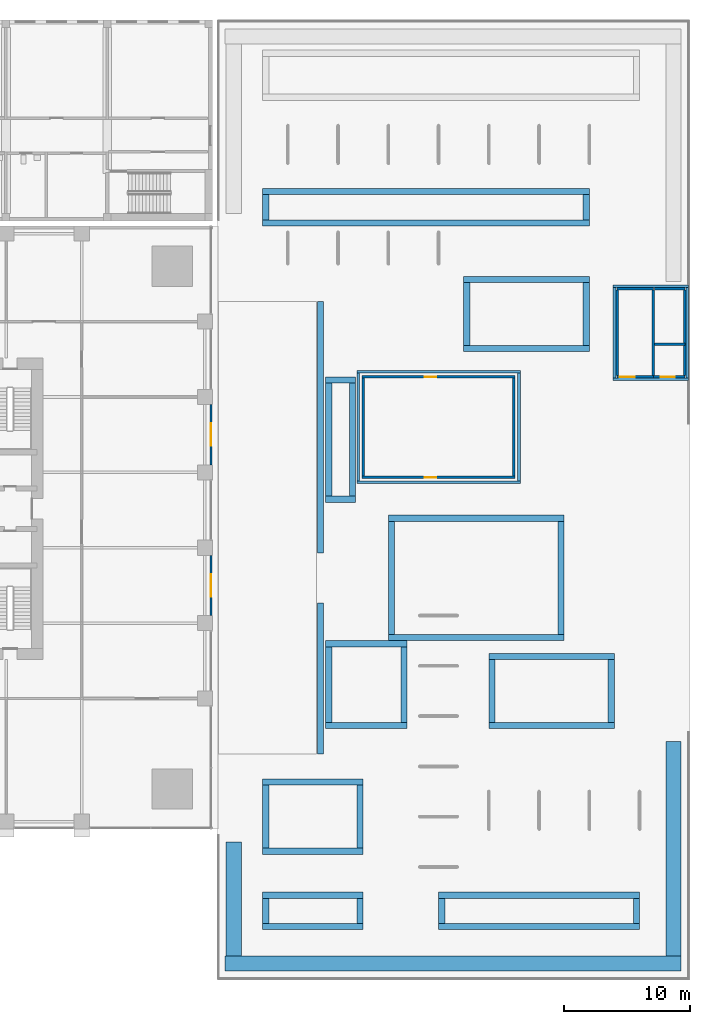
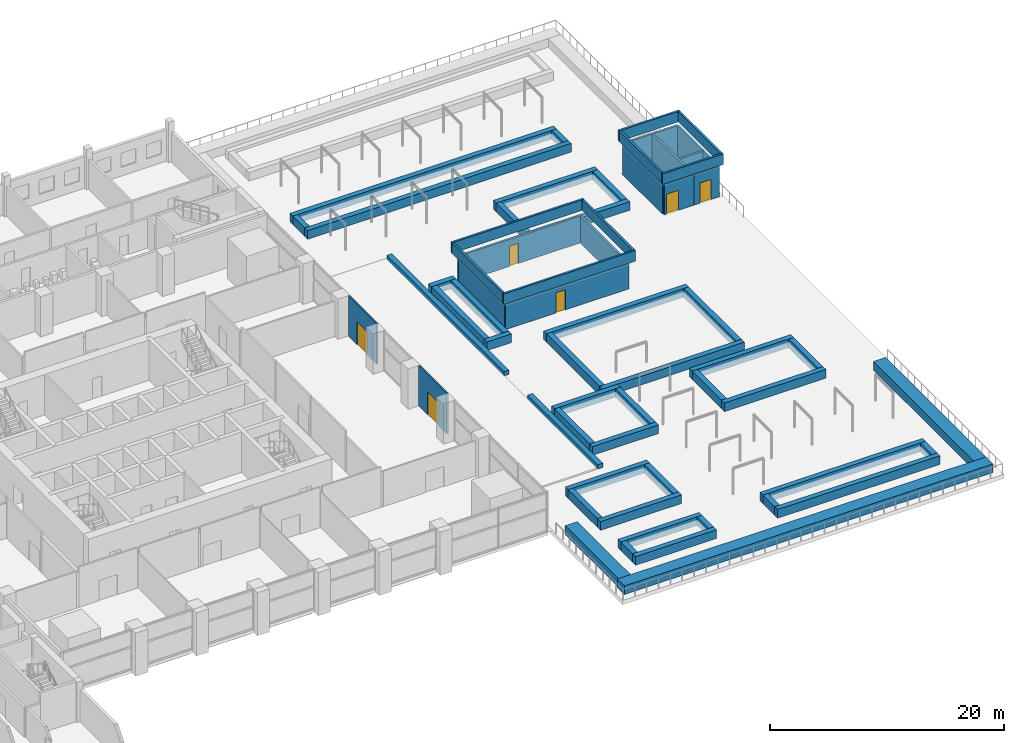
# One storey, part 24 of 34: 63 walls, 6 doors, 6 openings.
"""IFC4 building model written with IfcOpenShell, lengths in metres."""

import ifcopenshell
import ifcopenshell.guid

model = None  # the IFC model being written
_history = None  # IfcOwnerHistory: only IFC2X3 demands one
_inside = {}  # id of a spatial element -> (the spatial element, [elements in it])
_under = {}  # id of a project, library or spatial element -> (it, [spatial elements below it])
_declared = {}  # id of a project -> (the project, [libraries it declares])
_typed = {}  # id of a type object -> (the type object, [elements of that type])
_made_of = {}  # id of a material, layer set ... -> (it, [elements and type objects made of it])


def new_model(schema):
    """Start an empty IFC model of exactly this schema.

    Asked for "IFC4X3", IfcOpenShell would pick the latest addendum, in which some entities
    have other attributes; the version numbers below select the first issue.
    IFC2X3 requires an IfcOwnerHistory on every rooted entity: one is made here for all.
    """
    global model, _history
    if schema == "IFC4X3":
        model = ifcopenshell.file(schema_version=(4, 3, 0, 0))
    else:
        model = ifcopenshell.file(schema=schema)
    _inside.clear()
    _under.clear()
    _declared.clear()
    _typed.clear()
    _made_of.clear()
    _history = None
    if model.schema == "IFC2X3":
        org = make("IfcOrganization", Name="unknown")
        user = make(
            "IfcPersonAndOrganization",
            ThePerson=make("IfcPerson", FamilyName="unknown"),
            TheOrganization=org,
        )
        app = make(
            "IfcApplication",
            ApplicationDeveloper=org,
            Version="unknown",
            ApplicationFullName="unknown",
            ApplicationIdentifier="unknown",
        )
        _history = make(
            "IfcOwnerHistory",
            OwningUser=user,
            OwningApplication=app,
            ChangeAction="ADDED",
            CreationDate=0,
        )
    return model


def make(cls, **values):
    """One entity of the class cls with the attributes given. An attribute that is None is left unset."""
    return model.create_entity(
        cls, **{name: value for name, value in values.items() if value is not None}
    )


def rooted(cls, **values):
    """An entity with a GlobalId (a new one), such as an element, a storey or a relation."""
    return make(cls, GlobalId=ifcopenshell.guid.new(), OwnerHistory=_history, **values)


def si_unit(unit_type, name, prefix=None):
    """IfcSIUnit, for example si_unit("LENGTHUNIT", "METRE", prefix="MILLI")."""
    return make("IfcSIUnit", UnitType=unit_type, Prefix=prefix, Name=name)


def assignment(units):
    """IfcUnitAssignment: the units of a project."""
    return None if units is None else make("IfcUnitAssignment", Units=units)


def point(xyz):
    """IfcCartesianPoint."""
    return None if xyz is None else make("IfcCartesianPoint", Coordinates=xyz)


def direction(xyz):
    """IfcDirection."""
    return None if xyz is None else make("IfcDirection", DirectionRatios=xyz)


def frame(location, z_axis=None, x_axis=None):
    """IfcAxis2Placement3D, a coordinate frame: its origin and axes. An axis left out is left unset."""
    return make(
        "IfcAxis2Placement3D",
        Location=point(location),
        Axis=direction(z_axis),
        RefDirection=direction(x_axis),
    )


def frame_2d(location, x_axis=None):
    """IfcAxis2Placement2D, a coordinate frame in the plane: its origin and x axis."""
    return make(
        "IfcAxis2Placement2D", Location=point(location), RefDirection=direction(x_axis)
    )


def origin():
    """The frame at (0, 0, 0) with its axes left unset."""
    return frame((0.0, 0.0, 0.0))


def place(relative_to, where):
    """IfcLocalPlacement: puts the frame where relative to a parent placement (None: the world)."""
    return make(
        "IfcLocalPlacement", PlacementRelTo=relative_to, RelativePlacement=where
    )


def context(
    kind, dimensions, precision=None, world=None, true_north=None, identifier=None
):
    """IfcGeometricRepresentationContext, for example the 3D "Model" context."""
    return make(
        "IfcGeometricRepresentationContext",
        ContextIdentifier=identifier,
        ContextType=kind,
        CoordinateSpaceDimension=dimensions,
        Precision=precision,
        WorldCoordinateSystem=world,
        TrueNorth=true_north,
    )


def subcontext(parent, identifier, kind, view, scale=None):
    """IfcGeometricRepresentationSubContext, for example "Body" below "Model"."""
    return make(
        "IfcGeometricRepresentationSubContext",
        ContextIdentifier=identifier,
        ContextType=kind,
        ParentContext=parent,
        TargetScale=scale,
        TargetView=view,
    )


def project(units=None, contexts=None):
    """IfcProject with its units and contexts."""
    return rooted(
        "IfcProject",
        Name="project",
        RepresentationContexts=contexts,
        UnitsInContext=assignment(units),
    )


def spatial(cls, under=None, at=None, **own):
    """A site, building, storey or space (cls), placed at a placement, below another one or the project."""
    s = rooted(cls, ObjectPlacement=at, **own)
    if under is not None:
        _under.setdefault(under.id(), (under, []))[1].append(s)
    return s


def profile(cls, at=None, kind="AREA", **sizes):
    """A parametric profile (cls). Its sizes go by their IFC names, for example OverallWidth=200.0."""
    return make(cls, ProfileType=kind, Position=at, **sizes)


def rectangle(**sizes):
    """IfcRectangleProfileDef."""
    return profile("IfcRectangleProfileDef", **sizes)


def extrude(swept, where, along, depth):
    """IfcExtrudedAreaSolid: the profile swept, set in the frame where, extruded along a direction by depth."""
    return make(
        "IfcExtrudedAreaSolid",
        SweptArea=swept,
        Position=where,
        ExtrudedDirection=direction(along),
        Depth=depth,
    )


def shape(context_of_items, identifier, shape_type, items):
    """IfcShapeRepresentation: the items that make up one representation, for example the "Body"."""
    return make(
        "IfcShapeRepresentation",
        ContextOfItems=context_of_items,
        RepresentationIdentifier=identifier,
        RepresentationType=shape_type,
        Items=items,
    )


def material(Name=None, Category=None):
    """IfcMaterial."""
    return make("IfcMaterial", Name=Name, Category=Category)


def layer(
    of_material, thickness, ventilated=None, Name=None, Category=None, Priority=None
):
    """IfcMaterialLayer: one layer of a wall or slab, of a material (None: an air gap)."""
    return make(
        "IfcMaterialLayer",
        Material=of_material,
        LayerThickness=thickness,
        IsVentilated=ventilated,
        Name=Name,
        Category=Category,
        Priority=Priority,
    )


def layer_set(layers, Name=None):
    """IfcMaterialLayerSet."""
    return make("IfcMaterialLayerSet", MaterialLayers=layers, LayerSetName=Name)


def made_of(thing, what):
    """Note that an element or type object is made of a material, layer set ...; save() writes the relation."""
    if what is not None:
        _made_of.setdefault(what.id(), (what, []))[1].append(thing)
    return thing


def type_object(cls, material=None, **own):
    """A type object (cls), such as IfcWallType, which elements share."""
    return made_of(rooted(cls, **own), material)


def element(
    cls,
    number,
    at=None,
    inside=None,
    cuts=None,
    type_object=None,
    material=None,
    context=None,
    identifier="Body",
    shape_type=None,
    held_by="IfcProductDefinitionShape",
    body=None,
    shapes=None,
    **own,
):
    """One element of the class cls, such as IfcWall. Its Tag is "e" and its number.

    at: its placement. inside: the storey or other place that contains it. cuts: it is an
    opening in that element (IfcRelVoidsElement). A single representation is given by context,
    identifier, shape_type and body (its items); several are given by shapes. held_by: the class
    of the entity that holds the representations. save() writes the other relations.
    """
    e = rooted(cls, Tag="e%d" % number, ObjectPlacement=at, **own)
    if body is not None:
        shapes = [shape(context, identifier, shape_type, body)]
    if shapes is not None:
        e.Representation = make(held_by, Representations=shapes)
    if inside is not None:
        _inside.setdefault(inside.id(), (inside, []))[1].append(e)
    if cuts is not None:
        rooted(
            "IfcRelVoidsElement", RelatingBuildingElement=cuts, RelatedOpeningElement=e
        )
    if type_object is not None:
        _typed.setdefault(type_object.id(), (type_object, []))[1].append(e)
    return made_of(e, material)


def fill(opening, filler):
    """IfcRelFillsElement: the door or window that sits in an opening."""
    return rooted(
        "IfcRelFillsElement",
        RelatingOpeningElement=opening,
        RelatedBuildingElement=filler,
    )


def aggregate(whole, parts):
    """IfcRelAggregates: a whole, such as a stair, and the parts it consists of."""
    return rooted("IfcRelAggregates", RelatingObject=whole, RelatedObjects=parts)


def save(model, path):
    """Write the relations noted so far, then the file.

    IfcRelAggregates (storeys below a building ...), IfcRelContainedInSpatialStructure (elements
    in a storey), IfcRelDefinesByType, IfcRelAssociatesMaterial and IfcRelDeclares: one each for
    every whole, place, type object, material and project.
    """
    for whole, parts in _under.values():
        aggregate(whole, parts)
    for where, things in _inside.values():
        rooted(
            "IfcRelContainedInSpatialStructure",
            RelatedElements=things,
            RelatingStructure=where,
        )
    for kind, things in _typed.values():
        rooted("IfcRelDefinesByType", RelatedObjects=things, RelatingType=kind)
    for what, things in _made_of.values():
        rooted("IfcRelAssociatesMaterial", RelatedObjects=things, RelatingMaterial=what)
    for by, libraries in _declared.values():
        rooted("IfcRelDeclares", RelatingContext=by, RelatedDefinitions=libraries)
    model.write(path)


model = new_model("IFC4")

# Units and contexts
model_context = context("Model", 3, precision=1e-05, world=origin(), true_north=direction((0.0, 1.0)))
body_context = subcontext(model_context, "Body", "Model", "MODEL_VIEW")
ifc_project = project(units=[si_unit("LENGTHUNIT", "METRE"), si_unit("AREAUNIT", "SQUARE_METRE"), si_unit("VOLUMEUNIT", "CUBIC_METRE"), si_unit("PLANEANGLEUNIT", "RADIAN"), si_unit("MASSUNIT", "GRAM", prefix="KILO")], contexts=[model_context])

# Site, building, storey
site_placement = place(None, origin())
site = spatial("IfcSite", under=ifc_project, at=site_placement, CompositionType="ELEMENT")
building_placement = place(site_placement, origin())
building = spatial("IfcBuilding", under=site, at=building_placement, Name="Amberfall Residences", CompositionType="ELEMENT")
storey_placement = place(building_placement, frame((0.0, 0.0, 5.5)))
storey = spatial("IfcBuildingStorey", under=building, at=storey_placement, Name="L01", CompositionType="ELEMENT", Elevation=5.5)

# Wall, opening, door
ifc_material_1 = material(Name="Bronze anodised aluminium frame", Category="aluminium")
ifc_layer_1 = layer(ifc_material_1, 0.159912109375)
ifc_layer_set_1 = layer_set([ifc_layer_1], Name="Entrance frame wall 160")
wall_type_1 = type_object("IfcWallType", Name="Entrance frame wall 160", PredefinedType="SOLIDWALL", material=ifc_layer_set_1)
wall_1_placement = place(storey_placement, frame((99.89990234375, 37.0, 0.0), z_axis=(0.0, 0.0, 1.0), x_axis=(0.0, 1.0, 0.0)))
wall_1 = element("IfcWall", 1, at=wall_1_placement, inside=storey, type_object=wall_type_1, Name="Entrance frame wall E3", PredefinedType="SOLIDWALL", context=body_context, shape_type="SweptSolid", body=[
    extrude(rectangle(XDim=4.800048828125, YDim=0.159912109375, at=frame_2d((2.39990234375, 0.0))), origin(), (0.0, 0.0, 1.0), 4.199951171875),
])
opening_1_placement = place(wall_1_placement, frame((1.5, 0.0, 0.0)))
opening_1 = element("IfcOpeningElement", 2, at=opening_1_placement, cuts=wall_1, Name="Opening D9", PredefinedType="OPENING", context=body_context, shape_type="SweptSolid", body=[
    extrude(rectangle(XDim=1.800048828125, YDim=2.39990234375, at=frame_2d((0.89990234375, 1.199951171875))), frame((0.0, 0.08984375, 0.0), z_axis=(0.0, -1.0, 0.0), x_axis=(1.0, 0.0, 0.0)), (0.0, 0.0, 1.0), 0.179931640625),
])
ifc_material_2 = material(Name="Bronze framed toughened glass", Category="glass")
door_type_1 = type_object("IfcDoorType", Name="Terrace door 1800x2400", OperationType="DOUBLE_DOOR_SINGLE_SWING", PredefinedType="DOOR", material=ifc_material_2)
door_1_placement = place(opening_1_placement, origin())
door_1 = element("IfcDoor", 3, at=door_1_placement, inside=storey, type_object=door_type_1, Name="Exit door", OperationType="DOUBLE_DOOR_SINGLE_SWING", OverallHeight=2.39990234375, OverallWidth=1.800048828125, PredefinedType="DOOR", context=body_context, shape_type="SweptSolid", body=[
    extrude(rectangle(XDim=1.800048828125, YDim=2.39990234375, at=frame_2d((0.89990234375, 1.199951171875))), frame((0.0, 0.02490234375, 0.0), z_axis=(0.0, -1.0, 0.0), x_axis=(1.0, 0.0, 0.0)), (0.0, 0.0, 1.0), 0.050048828125),
])
fill(opening_1, door_1)

wall_2_placement = place(storey_placement, frame((99.89990234375, 49.0, 0.0), z_axis=(0.0, 0.0, 1.0), x_axis=(0.0, 1.0, 0.0)))
wall_2 = element("IfcWall", 4, at=wall_2_placement, inside=storey, type_object=wall_type_1, Name="Entrance frame wall E5", PredefinedType="SOLIDWALL", context=body_context, shape_type="SweptSolid", body=[
    extrude(rectangle(XDim=4.800048828125, YDim=0.159912109375, at=frame_2d((2.39990234375, 0.0))), origin(), (0.0, 0.0, 1.0), 4.199951171875),
])
opening_2_placement = place(wall_2_placement, frame((1.5, 0.0, 0.0)))
opening_2 = element("IfcOpeningElement", 5, at=opening_2_placement, cuts=wall_2, Name="Opening D9", PredefinedType="OPENING", context=body_context, shape_type="SweptSolid", body=[
    extrude(rectangle(XDim=1.800048828125, YDim=2.39990234375, at=frame_2d((0.89990234375, 1.199951171875))), frame((0.0, 0.08984375, 0.0), z_axis=(0.0, -1.0, 0.0), x_axis=(1.0, 0.0, 0.0)), (0.0, 0.0, 1.0), 0.179931640625),
])
door_2_placement = place(opening_2_placement, origin())
door_2 = element("IfcDoor", 6, at=door_2_placement, inside=storey, type_object=door_type_1, Name="Exit door", OperationType="DOUBLE_DOOR_SINGLE_SWING", OverallHeight=2.39990234375, OverallWidth=1.800048828125, PredefinedType="DOOR", context=body_context, shape_type="SweptSolid", body=[
    extrude(rectangle(XDim=1.800048828125, YDim=2.39990234375, at=frame_2d((0.89990234375, 1.199951171875))), frame((0.0, 0.02490234375, 0.0), z_axis=(0.0, -1.0, 0.0), x_axis=(1.0, 0.0, 0.0)), (0.0, 0.0, 1.0), 0.050048828125),
])
fill(opening_2, door_2)

ifc_material_3 = material(Name="Reinforced concrete C40", Category="concrete")
ifc_layer_2 = layer(ifc_material_3, 0.199951171875)
ifc_layer_set_2 = layer_set([ifc_layer_2], Name="Lift head wall 200")
wall_type_2 = type_object("IfcWallType", Name="Lift head wall 200", PredefinedType="SOLIDWALL", material=ifc_layer_set_2)
wall_3_placement = place(storey_placement, frame((135.10009765625, 56.0, 0.0), z_axis=(0.0, 0.0, 1.0), x_axis=(1.0, 0.0, 0.0)))
wall_3 = element("IfcWall", 7, at=wall_3_placement, inside=storey, type_object=wall_type_2, Name="Garden lift south wall", PredefinedType="SOLIDWALL", context=body_context, shape_type="SweptSolid", body=[
    extrude(rectangle(XDim=2.5, YDim=0.199951171875, at=frame_2d((1.25, 0.0))), origin(), (0.0, 0.0, 1.0), 3.199951171875),
])
opening_3_placement = place(wall_3_placement, frame((0.60009765625, 0.0, 0.0)))
opening_3 = element("IfcOpeningElement", 8, at=opening_3_placement, cuts=wall_3, Name="Opening LD5", PredefinedType="OPENING", context=body_context, shape_type="SweptSolid", body=[
    extrude(rectangle(XDim=1.10009765625, YDim=2.10009765625, at=frame_2d((0.550048828125, 1.050048828125))), frame((0.0, 0.10986328125, 0.0), z_axis=(0.0, -1.0, 0.0), x_axis=(1.0, 0.0, 0.0)), (0.0, 0.0, 1.0), 0.219970703125),
])
ifc_material_4 = material(Name="Stainless steel sliding door leaf", Category="steel")
door_type_2 = type_object("IfcDoorType", Name="Landing door 1100x2100", OperationType="SLIDING_TO_LEFT", PredefinedType="DOOR", material=ifc_material_4)
door_3_placement = place(opening_3_placement, origin())
door_3 = element("IfcDoor", 9, at=door_3_placement, inside=storey, type_object=door_type_2, Name="Garden lift deck landing door", OperationType="SLIDING_TO_LEFT", OverallHeight=2.10009765625, OverallWidth=1.10009765625, PredefinedType="DOOR", context=body_context, shape_type="SweptSolid", body=[
    extrude(rectangle(XDim=1.10009765625, YDim=2.10009765625, at=frame_2d((0.550048828125, 1.050048828125))), frame((0.0, 0.02490234375, 0.0), z_axis=(0.0, -1.0, 0.0), x_axis=(1.0, 0.0, 0.0)), (0.0, 0.0, 1.0), 0.050048828125),
])
fill(opening_3, door_3)

# Walls
wall_4_placement = place(storey_placement, frame((135.199951171875, 58.60009765625, 0.0), z_axis=(0.0, 0.0, 1.0), x_axis=(1.0, 0.0, 0.0)))
element("IfcWall", 10, at=wall_4_placement, inside=storey, type_object=wall_type_2, Name="Garden lift north wall", PredefinedType="SOLIDWALL", context=body_context, shape_type="SweptSolid", body=[
    extrude(rectangle(XDim=2.400146484375, YDim=0.199951171875, at=frame_2d((1.2001953125, 0.0))), origin(), (0.0, 0.0, 1.0), 3.199951171875),
])
wall_5_placement = place(storey_placement, frame((137.60009765625, 56.10009765625, 0.0), z_axis=(0.0, 0.0, 1.0), x_axis=(0.0, 1.0, 0.0)))
element("IfcWall", 11, at=wall_5_placement, inside=storey, type_object=wall_type_2, Name="Garden lift and riser east wall", PredefinedType="SOLIDWALL", context=body_context, shape_type="SweptSolid", body=[
    extrude(rectangle(XDim=6.7998046875, YDim=0.199951171875, at=frame_2d((3.39990234375, 0.0))), origin(), (0.0, 0.0, 1.0), 3.199951171875),
])
wall_6_placement = place(storey_placement, frame((135.199951171875, 63.0, 0.0), z_axis=(0.0, 0.0, 1.0), x_axis=(1.0, 0.0, 0.0)))
element("IfcWall", 12, at=wall_6_placement, inside=storey, type_object=wall_type_2, Name="Garden riser room north wall", PredefinedType="SOLIDWALL", context=body_context, shape_type="SweptSolid", body=[
    extrude(rectangle(XDim=2.400146484375, YDim=0.199951171875, at=frame_2d((1.2001953125, 0.0))), origin(), (0.0, 0.0, 1.0), 3.199951171875),
])

# Wall, opening, door
ifc_material_5 = material(Name="Concrete blockwork", Category="masonry")
ifc_layer_3 = layer(ifc_material_5, 0.199951171875)
ifc_layer_set_3 = layer_set([ifc_layer_3], Name="Plant room wall 200")
wall_type_3 = type_object("IfcWallType", Name="Plant room wall 200", PredefinedType="SOLIDWALL", material=ifc_layer_set_3)
wall_7_placement = place(storey_placement, frame((111.89990234375, 48.0, 0.0), z_axis=(0.0, 0.0, 1.0), x_axis=(1.0, 0.0, 0.0)))
wall_7 = element("IfcWall", 13, at=wall_7_placement, inside=storey, type_object=wall_type_3, Name="Pavilion S wall", PredefinedType="SOLIDWALL", context=body_context, shape_type="SweptSolid", body=[
    extrude(rectangle(XDim=12.2001953125, YDim=0.199951171875, at=frame_2d((6.10009765625, 0.0))), origin(), (0.0, 0.0, 1.0), 2.800048828125),
])
opening_4_placement = place(wall_7_placement, frame((5.0, 0.0, 0.0)))
opening_4 = element("IfcOpeningElement", 14, at=opening_4_placement, cuts=wall_7, Name="Opening D1", PredefinedType="OPENING", context=body_context, shape_type="SweptSolid", body=[
    extrude(rectangle(XDim=0.89990234375, YDim=2.10009765625, at=frame_2d((0.449951171875, 1.050048828125))), frame((0.0, 0.10986328125, 0.0), z_axis=(0.0, -1.0, 0.0), x_axis=(1.0, 0.0, 0.0)), (0.0, 0.0, 1.0), 0.219970703125),
])
ifc_material_6 = material(Name="Timber veneer door leaf", Category="wood")
door_type_3 = type_object("IfcDoorType", Name="Door 900x2100", OperationType="SINGLE_SWING_LEFT", PredefinedType="DOOR", material=ifc_material_6)
door_4_placement = place(opening_4_placement, origin())
door_4 = element("IfcDoor", 15, at=door_4_placement, inside=storey, type_object=door_type_3, Name="Pavilion door", OperationType="SINGLE_SWING_LEFT", OverallHeight=2.10009765625, OverallWidth=0.89990234375, PredefinedType="DOOR", context=body_context, shape_type="SweptSolid", body=[
    extrude(rectangle(XDim=0.89990234375, YDim=2.10009765625, at=frame_2d((0.449951171875, 1.050048828125))), frame((0.0, 0.02490234375, 0.0), z_axis=(0.0, -1.0, 0.0), x_axis=(1.0, 0.0, 0.0)), (0.0, 0.0, 1.0), 0.050048828125),
])
fill(opening_4, door_4)

wall_8_placement = place(storey_placement, frame((111.89990234375, 56.0, 0.0), z_axis=(0.0, 0.0, 1.0), x_axis=(1.0, 0.0, 0.0)))
wall_8 = element("IfcWall", 16, at=wall_8_placement, inside=storey, type_object=wall_type_3, Name="Pavilion N wall", PredefinedType="SOLIDWALL", context=body_context, shape_type="SweptSolid", body=[
    extrude(rectangle(XDim=12.2001953125, YDim=0.199951171875, at=frame_2d((6.10009765625, 0.0))), origin(), (0.0, 0.0, 1.0), 2.800048828125),
])
opening_5_placement = place(wall_8_placement, frame((5.0, 0.0, 0.0)))
opening_5 = element("IfcOpeningElement", 17, at=opening_5_placement, cuts=wall_8, Name="Opening D1", PredefinedType="OPENING", context=body_context, shape_type="SweptSolid", body=[
    extrude(rectangle(XDim=0.89990234375, YDim=2.10009765625, at=frame_2d((0.449951171875, 1.050048828125))), frame((0.0, 0.10986328125, 0.0), z_axis=(0.0, -1.0, 0.0), x_axis=(1.0, 0.0, 0.0)), (0.0, 0.0, 1.0), 0.219970703125),
])
door_5_placement = place(opening_5_placement, origin())
door_5 = element("IfcDoor", 18, at=door_5_placement, inside=storey, type_object=door_type_3, Name="Pavilion service door", OperationType="SINGLE_SWING_LEFT", OverallHeight=2.10009765625, OverallWidth=0.89990234375, PredefinedType="DOOR", context=body_context, shape_type="SweptSolid", body=[
    extrude(rectangle(XDim=0.89990234375, YDim=2.10009765625, at=frame_2d((0.449951171875, 1.050048828125))), frame((0.0, 0.02490234375, 0.0), z_axis=(0.0, -1.0, 0.0), x_axis=(1.0, 0.0, 0.0)), (0.0, 0.0, 1.0), 0.050048828125),
])
fill(opening_5, door_5)

# Walls
for number, where, z_axis, x_axis, name in (
    (19, (112.0, 48.10009765625, 0.0), (0.0, 0.0, 1.0), (0.0, 1.0, 0.0), "Pavilion W wall"),
    (20, (124.0, 48.10009765625, 0.0), (0.0, 0.0, 1.0), (0.0, 1.0, 0.0), "Pavilion E wall"),
):
    element("IfcWall", number, at=place(storey_placement, frame(where, z_axis=z_axis, x_axis=x_axis)), inside=storey, type_object=wall_type_3, Name=name, PredefinedType="SOLIDWALL", context=body_context, shape_type="SweptSolid", body=[
        extrude(rectangle(XDim=7.7998046875, YDim=0.199951171875, at=frame_2d((3.89990234375, 0.0))), origin(), (0.0, 0.0, 1.0), 2.800048828125),
    ])
ifc_material_7 = material(Name="Precast concrete C40 with stone facing", Category="masonry")
ifc_layer_4 = layer(ifc_material_7, 1.199951171875)
ifc_layer_set_4 = layer_set([ifc_layer_4], Name="Planter edge wall 1200")
wall_type_4 = type_object("IfcWallType", Name="Planter edge wall 1200", PredefinedType="SOLIDWALL", material=ifc_layer_set_4)
wall_9_placement = place(storey_placement, frame((101.0, 9.300048828125, 0.0), z_axis=(0.0, 0.0, 1.0), x_axis=(1.0, 0.0, 0.0)))
element("IfcWall", 21, at=wall_9_placement, inside=storey, type_object=wall_type_4, Name="Planted edge S", PredefinedType="SOLIDWALL", context=body_context, shape_type="SweptSolid", body=[
    extrude(rectangle(XDim=36.300048828125, YDim=1.199951171875, at=frame_2d((18.14990234375, 0.0))), origin(), (0.0, 0.0, 1.0), 0.89990234375),
])
wall_10_placement = place(storey_placement, frame((101.699951171875, 9.89990234375, 0.0), z_axis=(0.0, 0.0, 1.0), x_axis=(0.0, 1.0, 0.0)))
element("IfcWall", 22, at=wall_10_placement, inside=storey, type_object=wall_type_4, Name="Planted edge W1", PredefinedType="SOLIDWALL", context=body_context, shape_type="SweptSolid", body=[
    extrude(rectangle(XDim=9.10009765625, YDim=1.199951171875, at=frame_2d((4.550048828125, 0.0))), origin(), (0.0, 0.0, 1.0), 0.89990234375),
])
wall_11_placement = place(storey_placement, frame((136.699951171875, 9.89990234375, 0.0), z_axis=(0.0, 0.0, 1.0), x_axis=(0.0, 1.0, 0.0)))
element("IfcWall", 23, at=wall_11_placement, inside=storey, type_object=wall_type_4, Name="Planted edge E1", PredefinedType="SOLIDWALL", context=body_context, shape_type="SweptSolid", body=[
    extrude(rectangle(XDim=17.10009765625, YDim=1.199951171875, at=frame_2d((8.550048828125, 0.0))), origin(), (0.0, 0.0, 1.0), 0.89990234375),
])
ifc_layer_5 = layer(ifc_material_7, 0.5)
ifc_layer_set_5 = layer_set([ifc_layer_5], Name="Planter rim wall 500")
wall_type_5 = type_object("IfcWallType", Name="Planter rim wall 500", PredefinedType="SOLIDWALL", material=ifc_layer_set_5)
for number, where, z_axis, x_axis, name in (
    (24, (104.0, 12.25, 0.0), (0.0, 0.0, 1.0), (1.0, 0.0, 0.0), "Planter 1 S wall"),
    (25, (104.0, 14.75, 0.0), (0.0, 0.0, 1.0), (1.0, 0.0, 0.0), "Planter 1 N wall"),
):
    element("IfcWall", number, at=place(storey_placement, frame(where, z_axis=z_axis, x_axis=x_axis)), inside=storey, type_object=wall_type_5, Name=name, PredefinedType="SOLIDWALL", context=body_context, shape_type="SweptSolid", body=[
        extrude(rectangle(XDim=8.0, YDim=0.5, at=frame_2d((4.0, 0.0))), origin(), (0.0, 0.0, 1.0), 0.89990234375),
    ])
for number, where, z_axis, x_axis, name in (
    (26, (104.25, 12.5, 0.0), (0.0, 0.0, 1.0), (0.0, 1.0, 0.0), "Planter 1 W wall"),
    (27, (111.75, 12.5, 0.0), (0.0, 0.0, 1.0), (0.0, 1.0, 0.0), "Planter 1 E wall"),
):
    element("IfcWall", number, at=place(storey_placement, frame(where, z_axis=z_axis, x_axis=x_axis)), inside=storey, type_object=wall_type_5, Name=name, PredefinedType="SOLIDWALL", context=body_context, shape_type="SweptSolid", body=[
        extrude(rectangle(XDim=2.0, YDim=0.5, at=frame_2d((1.0, 0.0))), origin(), (0.0, 0.0, 1.0), 0.89990234375),
    ])
for number, where, z_axis, x_axis, name in (
    (28, (104.0, 18.25, 0.0), (0.0, 0.0, 1.0), (1.0, 0.0, 0.0), "Planter 2 S wall"),
    (29, (104.0, 23.75, 0.0), (0.0, 0.0, 1.0), (1.0, 0.0, 0.0), "Planter 2 N wall"),
):
    element("IfcWall", number, at=place(storey_placement, frame(where, z_axis=z_axis, x_axis=x_axis)), inside=storey, type_object=wall_type_5, Name=name, PredefinedType="SOLIDWALL", context=body_context, shape_type="SweptSolid", body=[
        extrude(rectangle(XDim=8.0, YDim=0.5, at=frame_2d((4.0, 0.0))), origin(), (0.0, 0.0, 1.0), 0.89990234375),
    ])
for number, where, z_axis, x_axis, name in (
    (30, (104.25, 18.5, 0.0), (0.0, 0.0, 1.0), (0.0, 1.0, 0.0), "Planter 2 W wall"),
    (31, (111.75, 18.5, 0.0), (0.0, 0.0, 1.0), (0.0, 1.0, 0.0), "Planter 2 E wall"),
):
    element("IfcWall", number, at=place(storey_placement, frame(where, z_axis=z_axis, x_axis=x_axis)), inside=storey, type_object=wall_type_5, Name=name, PredefinedType="SOLIDWALL", context=body_context, shape_type="SweptSolid", body=[
        extrude(rectangle(XDim=5.0, YDim=0.5, at=frame_2d((2.5, 0.0))), origin(), (0.0, 0.0, 1.0), 0.89990234375),
    ])
for number, where, z_axis, x_axis, name in (
    (32, (118.0, 12.25, 0.0), (0.0, 0.0, 1.0), (1.0, 0.0, 0.0), "Planter 3 S wall"),
    (33, (118.0, 14.75, 0.0), (0.0, 0.0, 1.0), (1.0, 0.0, 0.0), "Planter 3 N wall"),
):
    element("IfcWall", number, at=place(storey_placement, frame(where, z_axis=z_axis, x_axis=x_axis)), inside=storey, type_object=wall_type_5, Name=name, PredefinedType="SOLIDWALL", context=body_context, shape_type="SweptSolid", body=[
        extrude(rectangle(XDim=16.0, YDim=0.5, at=frame_2d((8.0, 0.0))), origin(), (0.0, 0.0, 1.0), 0.89990234375),
    ])
for number, where, z_axis, x_axis, name in (
    (34, (118.25, 12.5, 0.0), (0.0, 0.0, 1.0), (0.0, 1.0, 0.0), "Planter 3 W wall"),
    (35, (133.75, 12.5, 0.0), (0.0, 0.0, 1.0), (0.0, 1.0, 0.0), "Planter 3 E wall"),
):
    element("IfcWall", number, at=place(storey_placement, frame(where, z_axis=z_axis, x_axis=x_axis)), inside=storey, type_object=wall_type_5, Name=name, PredefinedType="SOLIDWALL", context=body_context, shape_type="SweptSolid", body=[
        extrude(rectangle(XDim=2.0, YDim=0.5, at=frame_2d((1.0, 0.0))), origin(), (0.0, 0.0, 1.0), 0.89990234375),
    ])
for number, where, z_axis, x_axis, name in (
    (36, (109.0, 28.25, 0.0), (0.0, 0.0, 1.0), (1.0, 0.0, 0.0), "Planter 4 S wall"),
    (37, (109.0, 34.75, 0.0), (0.0, 0.0, 1.0), (1.0, 0.0, 0.0), "Planter 4 N wall"),
):
    element("IfcWall", number, at=place(storey_placement, frame(where, z_axis=z_axis, x_axis=x_axis)), inside=storey, type_object=wall_type_5, Name=name, PredefinedType="SOLIDWALL", context=body_context, shape_type="SweptSolid", body=[
        extrude(rectangle(XDim=6.5, YDim=0.5, at=frame_2d((3.25, 0.0))), origin(), (0.0, 0.0, 1.0), 0.89990234375),
    ])
for number, where, z_axis, x_axis, name in (
    (38, (109.25, 28.5, 0.0), (0.0, 0.0, 1.0), (0.0, 1.0, 0.0), "Planter 4 W wall"),
    (39, (115.25, 28.5, 0.0), (0.0, 0.0, 1.0), (0.0, 1.0, 0.0), "Planter 4 E wall"),
):
    element("IfcWall", number, at=place(storey_placement, frame(where, z_axis=z_axis, x_axis=x_axis)), inside=storey, type_object=wall_type_5, Name=name, PredefinedType="SOLIDWALL", context=body_context, shape_type="SweptSolid", body=[
        extrude(rectangle(XDim=6.0, YDim=0.5, at=frame_2d((3.0, 0.0))), origin(), (0.0, 0.0, 1.0), 0.89990234375),
    ])
for number, where, z_axis, x_axis, name in (
    (40, (122.0, 28.25, 0.0), (0.0, 0.0, 1.0), (1.0, 0.0, 0.0), "Planter 5 S wall"),
    (41, (122.0, 33.75, 0.0), (0.0, 0.0, 1.0), (1.0, 0.0, 0.0), "Planter 5 N wall"),
):
    element("IfcWall", number, at=place(storey_placement, frame(where, z_axis=z_axis, x_axis=x_axis)), inside=storey, type_object=wall_type_5, Name=name, PredefinedType="SOLIDWALL", context=body_context, shape_type="SweptSolid", body=[
        extrude(rectangle(XDim=10.0, YDim=0.5, at=frame_2d((5.0, 0.0))), origin(), (0.0, 0.0, 1.0), 0.89990234375),
    ])
for number, where, z_axis, x_axis, name in (
    (42, (122.25, 28.5, 0.0), (0.0, 0.0, 1.0), (0.0, 1.0, 0.0), "Planter 5 W wall"),
    (43, (131.75, 28.5, 0.0), (0.0, 0.0, 1.0), (0.0, 1.0, 0.0), "Planter 5 E wall"),
):
    element("IfcWall", number, at=place(storey_placement, frame(where, z_axis=z_axis, x_axis=x_axis)), inside=storey, type_object=wall_type_5, Name=name, PredefinedType="SOLIDWALL", context=body_context, shape_type="SweptSolid", body=[
        extrude(rectangle(XDim=5.0, YDim=0.5, at=frame_2d((2.5, 0.0))), origin(), (0.0, 0.0, 1.0), 0.89990234375),
    ])
for number, where, z_axis, x_axis, name in (
    (44, (120.0, 58.25, 0.0), (0.0, 0.0, 1.0), (1.0, 0.0, 0.0), "Planter 6 S wall"),
    (45, (120.0, 63.75, 0.0), (0.0, 0.0, 1.0), (1.0, 0.0, 0.0), "Planter 6 N wall"),
):
    element("IfcWall", number, at=place(storey_placement, frame(where, z_axis=z_axis, x_axis=x_axis)), inside=storey, type_object=wall_type_5, Name=name, PredefinedType="SOLIDWALL", context=body_context, shape_type="SweptSolid", body=[
        extrude(rectangle(XDim=10.0, YDim=0.5, at=frame_2d((5.0, 0.0))), origin(), (0.0, 0.0, 1.0), 0.89990234375),
    ])
for number, where, z_axis, x_axis, name in (
    (46, (120.25, 58.5, 0.0), (0.0, 0.0, 1.0), (0.0, 1.0, 0.0), "Planter 6 W wall"),
    (47, (129.75, 58.5, 0.0), (0.0, 0.0, 1.0), (0.0, 1.0, 0.0), "Planter 6 E wall"),
):
    element("IfcWall", number, at=place(storey_placement, frame(where, z_axis=z_axis, x_axis=x_axis)), inside=storey, type_object=wall_type_5, Name=name, PredefinedType="SOLIDWALL", context=body_context, shape_type="SweptSolid", body=[
        extrude(rectangle(XDim=5.0, YDim=0.5, at=frame_2d((2.5, 0.0))), origin(), (0.0, 0.0, 1.0), 0.89990234375),
    ])
for number, where, z_axis, x_axis, name in (
    (48, (104.0, 68.25, 0.0), (0.0, 0.0, 1.0), (1.0, 0.0, 0.0), "Planter 7 S wall"),
    (49, (104.0, 70.75, 0.0), (0.0, 0.0, 1.0), (1.0, 0.0, 0.0), "Planter 7 N wall"),
):
    element("IfcWall", number, at=place(storey_placement, frame(where, z_axis=z_axis, x_axis=x_axis)), inside=storey, type_object=wall_type_5, Name=name, PredefinedType="SOLIDWALL", context=body_context, shape_type="SweptSolid", body=[
        extrude(rectangle(XDim=26.0, YDim=0.5, at=frame_2d((13.0, 0.0))), origin(), (0.0, 0.0, 1.0), 0.89990234375),
    ])
for number, where, z_axis, x_axis, name in (
    (50, (104.25, 68.5, 0.0), (0.0, 0.0, 1.0), (0.0, 1.0, 0.0), "Planter 7 W wall"),
    (51, (129.75, 68.5, 0.0), (0.0, 0.0, 1.0), (0.0, 1.0, 0.0), "Planter 7 E wall"),
):
    element("IfcWall", number, at=place(storey_placement, frame(where, z_axis=z_axis, x_axis=x_axis)), inside=storey, type_object=wall_type_5, Name=name, PredefinedType="SOLIDWALL", context=body_context, shape_type="SweptSolid", body=[
        extrude(rectangle(XDim=2.0, YDim=0.5, at=frame_2d((1.0, 0.0))), origin(), (0.0, 0.0, 1.0), 0.89990234375),
    ])
for number, where, z_axis, x_axis, name in (
    (52, (109.0, 46.25, 0.0), (0.0, 0.0, 1.0), (1.0, 0.0, 0.0), "Planter 9 S wall"),
    (53, (109.0, 55.75, 0.0), (0.0, 0.0, 1.0), (1.0, 0.0, 0.0), "Planter 9 N wall"),
):
    element("IfcWall", number, at=place(storey_placement, frame(where, z_axis=z_axis, x_axis=x_axis)), inside=storey, type_object=wall_type_5, Name=name, PredefinedType="SOLIDWALL", context=body_context, shape_type="SweptSolid", body=[
        extrude(rectangle(XDim=2.39990234375, YDim=0.5, at=frame_2d((1.199951171875, 0.0))), origin(), (0.0, 0.0, 1.0), 0.89990234375),
    ])
for number, where, z_axis, x_axis, name in (
    (54, (109.25, 46.5, 0.0), (0.0, 0.0, 1.0), (0.0, 1.0, 0.0), "Planter 9 W wall"),
    (55, (111.14990234375, 46.5, 0.0), (0.0, 0.0, 1.0), (0.0, 1.0, 0.0), "Planter 9 E wall"),
):
    element("IfcWall", number, at=place(storey_placement, frame(where, z_axis=z_axis, x_axis=x_axis)), inside=storey, type_object=wall_type_5, Name=name, PredefinedType="SOLIDWALL", context=body_context, shape_type="SweptSolid", body=[
        extrude(rectangle(XDim=9.0, YDim=0.5, at=frame_2d((4.5, 0.0))), origin(), (0.0, 0.0, 1.0), 0.89990234375),
    ])
wall_12_placement = place(storey_placement, frame((108.60009765625, 26.0, 0.0), z_axis=(0.0, 0.0, 1.0), x_axis=(0.0, 1.0, 0.0)))
element("IfcWall", 56, at=wall_12_placement, inside=storey, type_object=wall_type_5, Name="Arrival terrace seat wall S", PredefinedType="SOLIDWALL", context=body_context, shape_type="SweptSolid", body=[
    extrude(rectangle(XDim=12.0, YDim=0.5, at=frame_2d((6.0, 0.0))), origin(), (0.0, 0.0, 1.0), 0.449951171875),
])
wall_13_placement = place(storey_placement, frame((108.60009765625, 42.0, 0.0), z_axis=(0.0, 0.0, 1.0), x_axis=(0.0, 1.0, 0.0)))
element("IfcWall", 57, at=wall_13_placement, inside=storey, type_object=wall_type_5, Name="Arrival terrace seat wall N", PredefinedType="SOLIDWALL", context=body_context, shape_type="SweptSolid", body=[
    extrude(rectangle(XDim=20.0, YDim=0.5, at=frame_2d((10.0, 0.0))), origin(), (0.0, 0.0, 1.0), 0.449951171875),
])
for number, where, z_axis, x_axis, name in (
    (58, (114.0, 35.25, 0.0), (0.0, 0.0, 1.0), (1.0, 0.0, 0.0), "Water garden S rim wall"),
    (59, (114.0, 44.75, 0.0), (0.0, 0.0, 1.0), (1.0, 0.0, 0.0), "Water garden N rim wall"),
):
    element("IfcWall", number, at=place(storey_placement, frame(where, z_axis=z_axis, x_axis=x_axis)), inside=storey, type_object=wall_type_5, Name=name, PredefinedType="SOLIDWALL", context=body_context, shape_type="SweptSolid", body=[
        extrude(rectangle(XDim=14.0, YDim=0.5, at=frame_2d((7.0, 0.0))), origin(), (0.0, 0.0, 1.0), 0.89990234375),
    ])
for number, where, z_axis, x_axis, name in (
    (60, (114.25, 35.5, 0.0), (0.0, 0.0, 1.0), (0.0, 1.0, 0.0), "Water garden W rim wall"),
    (61, (127.75, 35.5, 0.0), (0.0, 0.0, 1.0), (0.0, 1.0, 0.0), "Water garden E rim wall"),
):
    element("IfcWall", number, at=place(storey_placement, frame(where, z_axis=z_axis, x_axis=x_axis)), inside=storey, type_object=wall_type_5, Name=name, PredefinedType="SOLIDWALL", context=body_context, shape_type="SweptSolid", body=[
        extrude(rectangle(XDim=9.0, YDim=0.5, at=frame_2d((4.5, 0.0))), origin(), (0.0, 0.0, 1.0), 0.89990234375),
    ])
ifc_material_8 = material(Name="Reinforced concrete C50", Category="concrete")
ifc_layer_6 = layer(ifc_material_8, 0.199951171875)
ifc_layer_set_6 = layer_set([ifc_layer_6], Name="Roof parapet 200")
wall_type_6 = type_object("IfcWallType", Name="Roof parapet 200", PredefinedType="PARAPET", material=ifc_layer_set_6)
for number, where, z_axis, x_axis, name in (
    (62, (111.5, 47.60009765625, 3.0), (0.0, 0.0, 1.0), (1.0, 0.0, 0.0), "Roof parapet pav S"),
    (63, (111.5, 56.39990234375, 3.0), (0.0, 0.0, 1.0), (1.0, 0.0, 0.0), "Roof parapet pav N"),
):
    element("IfcWall", number, at=place(storey_placement, frame(where, z_axis=z_axis, x_axis=x_axis)), inside=storey, type_object=wall_type_6, Name=name, PredefinedType="PARAPET", context=body_context, shape_type="SweptSolid", body=[
        extrude(rectangle(XDim=13.0, YDim=0.199951171875, at=frame_2d((6.5, 0.0))), origin(), (0.0, 0.0, 1.0), 1.10009765625),
    ])
for number, where, z_axis, x_axis, name in (
    (64, (111.60009765625, 47.699951171875, 3.0), (0.0, 0.0, 1.0), (0.0, 1.0, 0.0), "Roof parapet pav W"),
    (65, (124.39990234375, 47.699951171875, 3.0), (0.0, 0.0, 1.0), (0.0, 1.0, 0.0), "Roof parapet pav E"),
):
    element("IfcWall", number, at=place(storey_placement, frame(where, z_axis=z_axis, x_axis=x_axis)), inside=storey, type_object=wall_type_6, Name=name, PredefinedType="PARAPET", context=body_context, shape_type="SweptSolid", body=[
        extrude(rectangle(XDim=8.60009765625, YDim=0.199951171875, at=frame_2d((4.300048828125, 0.0))), origin(), (0.0, 0.0, 1.0), 1.10009765625),
    ])
for number, where, z_axis, x_axis, name in (
    (66, (131.89990234375, 55.800048828125, 3.39990234375), (0.0, 0.0, 1.0), (1.0, 0.0, 0.0), "Roof parapet head S"),
    (67, (131.89990234375, 63.199951171875, 3.39990234375), (0.0, 0.0, 1.0), (1.0, 0.0, 0.0), "Roof parapet head N"),
):
    element("IfcWall", number, at=place(storey_placement, frame(where, z_axis=z_axis, x_axis=x_axis)), inside=storey, type_object=wall_type_6, Name=name, PredefinedType="PARAPET", context=body_context, shape_type="SweptSolid", body=[
        extrude(rectangle(XDim=6.0, YDim=0.199951171875, at=frame_2d((3.0, 0.0))), origin(), (0.0, 0.0, 1.0), 1.10009765625),
    ])
for number, where, z_axis, x_axis, name in (
    (68, (132.0, 55.89990234375, 3.39990234375), (0.0, 0.0, 1.0), (0.0, 1.0, 0.0), "Roof parapet head W"),
    (69, (137.800048828125, 55.89990234375, 3.39990234375), (0.0, 0.0, 1.0), (0.0, 1.0, 0.0), "Roof parapet head E"),
):
    element("IfcWall", number, at=place(storey_placement, frame(where, z_axis=z_axis, x_axis=x_axis)), inside=storey, type_object=wall_type_6, Name=name, PredefinedType="PARAPET", context=body_context, shape_type="SweptSolid", body=[
        extrude(rectangle(XDim=7.2001953125, YDim=0.199951171875, at=frame_2d((3.60009765625, 0.0))), origin(), (0.0, 0.0, 1.0), 1.10009765625),
    ])

# Wall, opening, door
ifc_layer_7 = layer(ifc_material_3, 0.199951171875)
ifc_layer_set_7 = layer_set([ifc_layer_7], Name="Stair wall 200")
wall_type_7 = type_object("IfcWallType", Name="Stair wall 200", PredefinedType="SOLIDWALL", material=ifc_layer_set_7)
wall_14_placement = place(storey_placement, frame((132.199951171875, 56.0, 0.0), z_axis=(0.0, 0.0, 1.0), x_axis=(1.0, 0.0, 0.0)))
wall_14 = element("IfcWall", 70, at=wall_14_placement, inside=storey, type_object=wall_type_7, Name="Garden stair south wall", PredefinedType="SOLIDWALL", context=body_context, shape_type="SweptSolid", body=[
    extrude(rectangle(XDim=2.900146484375, YDim=0.199951171875, at=frame_2d((1.4501953125, 0.0))), origin(), (0.0, 0.0, 1.0), 3.199951171875),
])
opening_6_placement = place(wall_14_placement, frame((0.199951171875, 0.0, 0.0)))
opening_6 = element("IfcOpeningElement", 71, at=opening_6_placement, cuts=wall_14, Name="Opening D6", PredefinedType="OPENING", context=body_context, shape_type="SweptSolid", body=[
    extrude(rectangle(XDim=1.199951171875, YDim=2.10009765625, at=frame_2d((0.60009765625, 1.050048828125))), frame((0.0, 0.10986328125, 0.0), z_axis=(0.0, -1.0, 0.0), x_axis=(1.0, 0.0, 0.0)), (0.0, 0.0, 1.0), 0.219970703125),
])
ifc_material_9 = material(Name="Steel fire door leaf", Category="steel")
door_type_4 = type_object("IfcDoorType", Name="Exit door 1200x2100", OperationType="SINGLE_SWING_LEFT", PredefinedType="DOOR", material=ifc_material_9)
door_6_placement = place(opening_6_placement, origin())
door_6 = element("IfcDoor", 72, at=door_6_placement, inside=storey, type_object=door_type_4, Name="Garden stair deck door", OperationType="SINGLE_SWING_LEFT", OverallHeight=2.10009765625, OverallWidth=1.199951171875, PredefinedType="DOOR", context=body_context, shape_type="SweptSolid", body=[
    extrude(rectangle(XDim=1.199951171875, YDim=2.10009765625, at=frame_2d((0.60009765625, 1.050048828125))), frame((0.0, 0.02490234375, 0.0), z_axis=(0.0, -1.0, 0.0), x_axis=(1.0, 0.0, 0.0)), (0.0, 0.0, 1.0), 0.050048828125),
])
fill(opening_6, door_6)

# Walls
wall_15_placement = place(storey_placement, frame((132.199951171875, 63.0, 0.0), z_axis=(0.0, 0.0, 1.0), x_axis=(1.0, 0.0, 0.0)))
element("IfcWall", 73, at=wall_15_placement, inside=storey, type_object=wall_type_7, Name="Garden stair north wall", PredefinedType="SOLIDWALL", context=body_context, shape_type="SweptSolid", body=[
    extrude(rectangle(XDim=2.900146484375, YDim=0.199951171875, at=frame_2d((1.4501953125, 0.0))), origin(), (0.0, 0.0, 1.0), 3.199951171875),
])
for number, where, z_axis, x_axis, name in (
    (74, (132.199951171875, 56.10009765625, 0.0), (0.0, 0.0, 1.0), (0.0, 1.0, 0.0), "Garden stair west wall"),
    (75, (135.10009765625, 56.10009765625, 0.0), (0.0, 0.0, 1.0), (0.0, 1.0, 0.0), "Garden stair east wall"),
):
    element("IfcWall", number, at=place(storey_placement, frame(where, z_axis=z_axis, x_axis=x_axis)), inside=storey, type_object=wall_type_7, Name=name, PredefinedType="SOLIDWALL", context=body_context, shape_type="SweptSolid", body=[
        extrude(rectangle(XDim=6.7998046875, YDim=0.199951171875, at=frame_2d((3.39990234375, 0.0))), origin(), (0.0, 0.0, 1.0), 3.199951171875),
    ])

save(model, "model.ifc")
